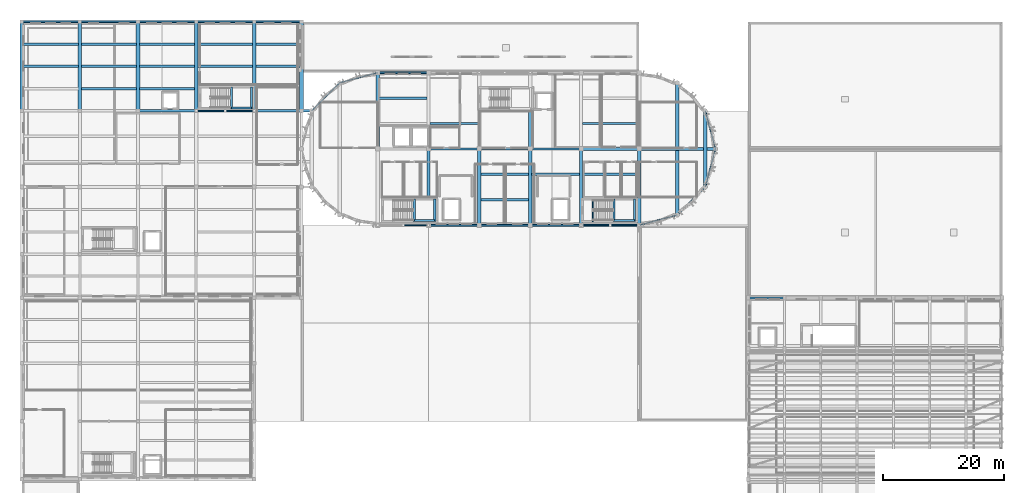
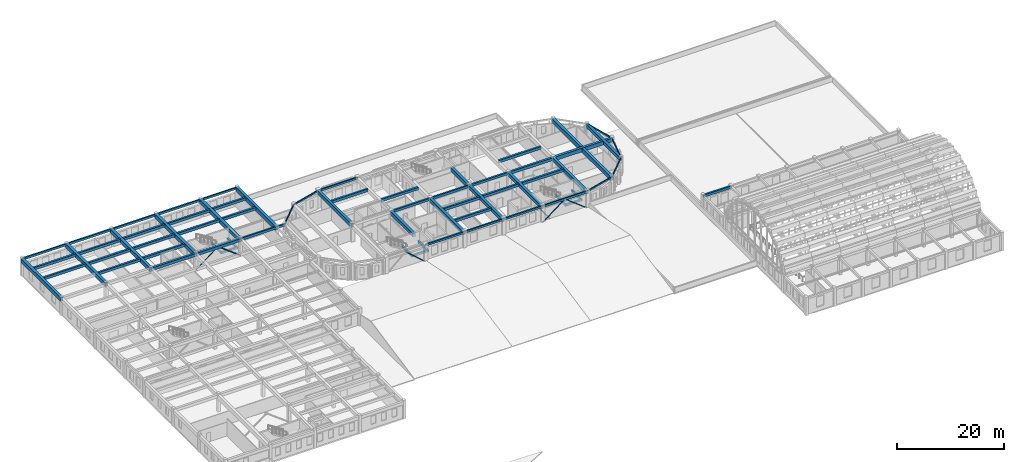
# One storey, part 5 of 46: 69 beams, 6 members.
"""IFC4 building model written with IfcOpenShell, lengths in metres."""

from ifc_helpers import new_model, si_unit, direction, frame, origin, origin_2d, place, context, subcontext, project, spatial, rectangle, hollow_rectangle, hollow_circle, extrude, material, material_profile, profile_set, type_object, element, save


model = new_model("IFC4")

# Units and contexts
model_context = context("Model", 3, precision=1e-05, world=origin(), true_north=direction((0.0, 1.0)))
body_context = subcontext(model_context, "Body", "Model", "MODEL_VIEW")
ifc_project = project(units=[si_unit("LENGTHUNIT", "METRE"), si_unit("AREAUNIT", "SQUARE_METRE"), si_unit("VOLUMEUNIT", "CUBIC_METRE"), si_unit("PLANEANGLEUNIT", "RADIAN"), si_unit("MASSUNIT", "GRAM", prefix="KILO")], contexts=[model_context])

# Site, building, storey
site_placement = place(None, origin())
site = spatial("IfcSite", under=ifc_project, at=site_placement, CompositionType="ELEMENT")
building_placement = place(site_placement, origin())
building = spatial("IfcBuilding", under=site, at=building_placement, Name="Tarnavel Promenade Courthouse", CompositionType="ELEMENT")
storey_placement = place(building_placement, frame((0.0, 0.0, 14.39990234375)))
storey = spatial("IfcBuildingStorey", under=building, at=storey_placement, Name="L04", CompositionType="ELEMENT", Elevation=14.39990234375)

# Beams
ifc_material_1 = material(Name="Concrete C40/50", Category="concrete")
ifc_material_profile_1 = material_profile(ifc_material_1, rectangle(XDim=0.39990234375, YDim=0.60009765625, at=origin_2d()), Name="PT 400x600")
ifc_profile_set_1 = profile_set([ifc_material_profile_1], Name="Concrete C40/50")
beam_type_1 = type_object("IfcBeamType", Name="Concrete C40/50 BM-PT-400x600 (PT 400x600)", PredefinedType="JOIST", material=ifc_profile_set_1)
for number, where, z_axis, x_axis, name in (
    (1, (0.27001953125, 105.449951171875, 3.655029296875), (1.0, 0.0, 0.0), (0.0, 1.0, 0.0), "L04 Secondary Floor Rib 2173"),
    (2, (0.27001953125, 109.125, 3.655029296875), (1.0, 0.0, 0.0), (0.0, 1.0, 0.0), "L04 Secondary Floor Rib 2174"),
):
    element("IfcBeam", number, at=place(storey_placement, frame(where, z_axis=z_axis, x_axis=x_axis)), inside=storey, type_object=beam_type_1, Name=name, PredefinedType="JOIST", context=body_context, shape_type="SweptSolid", body=[
        extrude(rectangle(XDim=0.39990234375, YDim=0.60009765625, at=origin_2d()), origin(), (0.0, 0.0, 1.0), 9.06005859375),
    ])
for number, where, z_axis, x_axis, name in (
    (3, (9.8701171875, 101.77490234375, 3.655029296875), (1.0, 0.0, 0.0), (0.0, 1.0, 0.0), "L04 Secondary Floor Rib 2175"),
    (4, (9.8701171875, 105.449951171875, 3.655029296875), (1.0, 0.0, 0.0), (0.0, 1.0, 0.0), "L04 Secondary Floor Rib 2176"),
    (5, (9.8701171875, 109.125, 3.655029296875), (1.0, 0.0, 0.0), (0.0, 1.0, 0.0), "L04 Secondary Floor Rib 2177"),
):
    element("IfcBeam", number, at=place(storey_placement, frame(where, z_axis=z_axis, x_axis=x_axis)), inside=storey, type_object=beam_type_1, Name=name, PredefinedType="JOIST", context=body_context, shape_type="SweptSolid", body=[
        extrude(rectangle(XDim=0.39990234375, YDim=0.60009765625, at=origin_2d()), origin(), (0.0, 0.0, 1.0), 9.059814453125),
    ])
for number, where, z_axis, x_axis, name in (
    (6, (19.469970703125, 101.77490234375, 3.655029296875), (1.0, 0.0, 0.0), (0.0, 1.0, 0.0), "L04 Secondary Floor Rib 2178"),
    (7, (19.469970703125, 105.449951171875, 3.655029296875), (1.0, 0.0, 0.0), (0.0, 1.0, 0.0), "L04 Secondary Floor Rib 2179"),
    (8, (19.469970703125, 109.125, 3.655029296875), (1.0, 0.0, 0.0), (0.0, 1.0, 0.0), "L04 Secondary Floor Rib 2180"),
):
    element("IfcBeam", number, at=place(storey_placement, frame(where, z_axis=z_axis, x_axis=x_axis)), inside=storey, type_object=beam_type_1, Name=name, PredefinedType="JOIST", context=body_context, shape_type="SweptSolid", body=[
        extrude(rectangle(XDim=0.39990234375, YDim=0.60009765625, at=origin_2d()), origin(), (0.0, 0.0, 1.0), 9.06005859375),
    ])
for number, where, z_axis, x_axis, name in (
    (9, (29.070068359375, 105.449951171875, 3.655029296875), (1.0, 0.0, 0.0), (0.0, 1.0, 0.0), "L04 Secondary Floor Rib 2181"),
    (10, (29.070068359375, 109.125, 3.655029296875), (1.0, 0.0, 0.0), (0.0, 1.0, 0.0), "L04 Secondary Floor Rib 2182"),
):
    element("IfcBeam", number, at=place(storey_placement, frame(where, z_axis=z_axis, x_axis=x_axis)), inside=storey, type_object=beam_type_1, Name=name, PredefinedType="JOIST", context=body_context, shape_type="SweptSolid", body=[
        extrude(rectangle(XDim=0.39990234375, YDim=0.60009765625, at=origin_2d()), origin(), (0.0, 0.0, 1.0), 9.059814453125),
    ])
for number, where, z_axis, x_axis, name in (
    (11, (38.669921875, 105.449951171875, 3.655029296875), (1.0, 0.0, 0.0), (0.0, 1.0, 0.0), "L04 Secondary Floor Rib 2183"),
    (12, (38.669921875, 109.125, 3.655029296875), (1.0, 0.0, 0.0), (0.0, 1.0, 0.0), "L04 Secondary Floor Rib 2184"),
):
    element("IfcBeam", number, at=place(storey_placement, frame(where, z_axis=z_axis, x_axis=x_axis)), inside=storey, type_object=beam_type_1, Name=name, PredefinedType="JOIST", context=body_context, shape_type="SweptSolid", body=[
        extrude(rectangle(XDim=0.39990234375, YDim=0.60009765625, at=origin_2d()), origin(), (0.0, 0.0, 1.0), 7.260009765625),
    ])
for number, where, z_axis, x_axis, name in (
    (13, (75.844970703125, 83.39990234375, 3.655029296875), (1.0, 0.0, 0.0), (0.0, 1.0, 0.0), "L04 Secondary Floor Rib 2185"),
    (14, (75.844970703125, 87.60009765625, 3.655029296875), (1.0, 0.0, 0.0), (0.0, 1.0, 0.0), "L04 Secondary Floor Rib 2186"),
    (15, (84.2451171875, 87.60009765625, 3.655029296875), (1.0, 0.0, 0.0), (0.0, 1.0, 0.0), "L04 Secondary Floor Rib 2187"),
):
    element("IfcBeam", number, at=place(storey_placement, frame(where, z_axis=z_axis, x_axis=x_axis)), inside=storey, type_object=beam_type_1, Name=name, PredefinedType="JOIST", context=body_context, shape_type="SweptSolid", body=[
        extrude(rectangle(XDim=0.39990234375, YDim=0.60009765625, at=origin_2d()), origin(), (0.0, 0.0, 1.0), 7.909912109375),
    ])
beam_1_placement = place(storey_placement, frame((92.64501953125, 87.60009765625, 3.655029296875), z_axis=(1.0, 0.0, 0.0), x_axis=(0.0, 1.0, 0.0)))
element("IfcBeam", 16, at=beam_1_placement, inside=storey, type_object=beam_type_1, Name="L04 Secondary Floor Rib 2188", PredefinedType="JOIST", context=body_context, shape_type="SweptSolid", body=[
    extrude(rectangle(XDim=0.39990234375, YDim=0.60009765625, at=origin_2d()), origin(), (0.0, 0.0, 1.0), 9.10986328125),
])
beam_2_placement = place(storey_placement, frame((59.044921875, 100.199951171875, 3.655029296875), z_axis=(1.0, 0.0, 0.0), x_axis=(0.0, 1.0, 0.0)))
element("IfcBeam", 17, at=beam_2_placement, inside=storey, type_object=beam_type_1, Name="L04 Secondary Floor Rib 2190", PredefinedType="JOIST", context=body_context, shape_type="SweptSolid", body=[
    extrude(rectangle(XDim=0.39990234375, YDim=0.60009765625, at=origin_2d()), origin(), (0.0, 0.0, 1.0), 7.91015625),
])
beam_3_placement = place(storey_placement, frame((67.445068359375, 96.0, 3.655029296875), z_axis=(1.0, 0.0, 0.0), x_axis=(0.0, 1.0, 0.0)))
element("IfcBeam", 18, at=beam_3_placement, inside=storey, type_object=beam_type_1, Name="L04 Secondary Floor Rib 2191", PredefinedType="JOIST", context=body_context, shape_type="SweptSolid", body=[
    extrude(rectangle(XDim=0.39990234375, YDim=0.60009765625, at=origin_2d()), origin(), (0.0, 0.0, 1.0), 7.909912109375),
])
beam_4_placement = place(storey_placement, frame((92.64501953125, 96.0, 3.655029296875), z_axis=(1.0, 0.0, 0.0), x_axis=(0.0, 1.0, 0.0)))
element("IfcBeam", 19, at=beam_4_placement, inside=storey, type_object=beam_type_1, Name="L04 Secondary Floor Rib 2192", PredefinedType="JOIST", context=body_context, shape_type="SweptSolid", body=[
    extrude(rectangle(XDim=0.39990234375, YDim=0.60009765625, at=origin_2d()), origin(), (0.0, 0.0, 1.0), 9.10986328125),
])
ifc_material_profile_2 = material_profile(ifc_material_1, rectangle(XDim=0.550048828125, YDim=0.85009765625, at=origin_2d()), Name="PT 550x850")
ifc_profile_set_2 = profile_set([ifc_material_profile_2], Name="Concrete C40/50")
beam_type_2 = type_object("IfcBeamType", Name="Concrete C40/50 BM-PT-550x850 (PT 550x850)", PredefinedType="T_BEAM", material=ifc_profile_set_2)
beam_5_placement = place(storey_placement, frame((102.0, 91.800048828125, 3.530029296875), z_axis=(1.0, 0.0, 0.0), x_axis=(0.0, 1.0, 0.0)))
element("IfcBeam", 20, at=beam_5_placement, inside=storey, type_object=beam_type_2, Name="L04 Primary Longitudinal Beam 2044", PredefinedType="T_BEAM", context=body_context, shape_type="SweptSolid", body=[
    extrude(rectangle(XDim=0.550048828125, YDim=0.85009765625, at=origin_2d()), origin(), (0.0, 0.0, 1.0), 12.60009765625),
])
beam_6_placement = place(storey_placement, frame((58.800048828125, 91.800048828125, 3.530029296875), z_axis=(0.0, 1.0, 0.0), x_axis=(-1.0, 0.0, 0.0)))
element("IfcBeam", 21, at=beam_6_placement, inside=storey, type_object=beam_type_2, Name="L04 Transverse Girder 2103", PredefinedType="T_BEAM", context=body_context, shape_type="SweptSolid", body=[
    extrude(rectangle(XDim=0.550048828125, YDim=0.85009765625, at=origin_2d()), origin(), (0.0, 0.0, 1.0), 12.599853515625),
])
beam_7_placement = place(storey_placement, frame((67.199951171875, 83.3701171875, 3.530029296875), z_axis=(0.0, 1.0, 0.0), x_axis=(-1.0, 0.0, 0.0)))
element("IfcBeam", 22, at=beam_7_placement, inside=storey, type_object=beam_type_2, Name="L04 Transverse Girder 2104", PredefinedType="T_BEAM", context=body_context, shape_type="SweptSolid", body=[
    extrude(rectangle(XDim=0.550048828125, YDim=0.85009765625, at=origin_2d()), origin(), (0.0, 0.0, 1.0), 8.429931640625),
])
for number, where, z_axis, x_axis, name in (
    (23, (75.60009765625, 79.199951171875, 3.530029296875), (0.0, 1.0, 0.0), (-1.0, 0.0, 0.0), "L04 Transverse Girder 2106"),
    (24, (84.0, 79.199951171875, 3.530029296875), (0.0, 1.0, 0.0), (-1.0, 0.0, 0.0), "L04 Transverse Girder 2108"),
):
    element("IfcBeam", number, at=place(storey_placement, frame(where, z_axis=z_axis, x_axis=x_axis)), inside=storey, type_object=beam_type_2, Name=name, PredefinedType="T_BEAM", context=body_context, shape_type="SweptSolid", body=[
        extrude(rectangle(XDim=0.550048828125, YDim=0.85009765625, at=origin_2d()), origin(), (0.0, 0.0, 1.0), 12.60009765625),
    ])
beam_8_placement = place(storey_placement, frame((84.0, 91.800048828125, 3.530029296875), z_axis=(0.0, 1.0, 0.0), x_axis=(-1.0, 0.0, 0.0)))
element("IfcBeam", 25, at=beam_8_placement, inside=storey, type_object=beam_type_2, Name="L04 Transverse Girder 2109", PredefinedType="T_BEAM", context=body_context, shape_type="SweptSolid", body=[
    extrude(rectangle(XDim=0.550048828125, YDim=0.85009765625, at=origin_2d()), origin(), (0.0, 0.0, 1.0), 6.64990234375),
])
for number, where, z_axis, x_axis, name in (
    (26, (92.39990234375, 79.199951171875, 3.530029296875), (0.0, 1.0, 0.0), (-1.0, 0.0, 0.0), "L04 Transverse Girder 2111"),
    (27, (102.0, 79.199951171875, 3.530029296875), (0.0, 1.0, 0.0), (-1.0, 0.0, 0.0), "L04 Transverse Girder 2113"),
    (28, (112.911865234375, 85.5, 3.530029296875), (0.0, 1.0, 0.0), (-1.0, 0.0, 0.0), "L04 Transverse Girder 2116"),
):
    element("IfcBeam", number, at=place(storey_placement, frame(where, z_axis=z_axis, x_axis=x_axis)), inside=storey, type_object=beam_type_2, Name=name, PredefinedType="T_BEAM", context=body_context, shape_type="SweptSolid", body=[
        extrude(rectangle(XDim=0.550048828125, YDim=0.85009765625, at=origin_2d()), origin(), (0.0, 0.0, 1.0), 12.60009765625),
    ])
ifc_material_profile_3 = material_profile(ifc_material_1, rectangle(XDim=0.60009765625, YDim=0.89990234375, at=origin_2d()), Name="PT 600x900")
ifc_profile_set_3 = profile_set([ifc_material_profile_3], Name="Concrete C40/50")
beam_type_3 = type_object("IfcBeamType", Name="Concrete C40/50 BM-PT-600x900 (PT 600x900)", PredefinedType="T_BEAM", material=ifc_profile_set_3)
for number, where, z_axis, x_axis, name in (
    (29, (0.0, 98.10009765625, 3.505126953125), (0.0, 1.0, 0.0), (-1.0, 0.0, 0.0), "L04 Transverse Girder 2067"),
    (30, (9.60009765625, 98.10009765625, 3.505126953125), (0.0, 1.0, 0.0), (-1.0, 0.0, 0.0), "L04 Transverse Girder 2073"),
    (31, (19.199951171875, 98.10009765625, 3.505126953125), (0.0, 1.0, 0.0), (-1.0, 0.0, 0.0), "L04 Transverse Girder 2080"),
    (32, (28.800048828125, 98.10009765625, 3.505126953125), (0.0, 1.0, 0.0), (-1.0, 0.0, 0.0), "L04 Transverse Girder 2087"),
    (33, (38.39990234375, 98.10009765625, 3.505126953125), (0.0, 1.0, 0.0), (-1.0, 0.0, 0.0), "L04 Transverse Girder 2094"),
    (34, (46.199951171875, 98.10009765625, 3.505126953125), (0.0, 1.0, 0.0), (-1.0, 0.0, 0.0), "L04 Transverse Girder 2099"),
):
    element("IfcBeam", number, at=place(storey_placement, frame(where, z_axis=z_axis, x_axis=x_axis)), inside=storey, type_object=beam_type_3, Name=name, PredefinedType="T_BEAM", context=body_context, shape_type="SweptSolid", body=[
        extrude(rectangle(XDim=0.60009765625, YDim=0.89990234375, at=origin_2d()), origin(), (0.0, 0.0, 1.0), 14.699951171875),
    ])
ifc_material_profile_4 = material_profile(ifc_material_1, rectangle(XDim=0.60009765625, YDim=0.949951171875, at=origin_2d()), Name="PT 600x950")
ifc_profile_set_4 = profile_set([ifc_material_profile_4], Name="Concrete C40/50")
beam_type_4 = type_object("IfcBeamType", Name="Concrete C40/50 BM-PT-600x950 (PT 600x950)", PredefinedType="T_BEAM", material=ifc_profile_set_4)
beam_9_placement = place(storey_placement, frame((108.300048828125, 80.88818359375, 3.47998046875), z_axis=(0.0, 1.0, 0.0), x_axis=(-1.0, 0.0, 0.0)))
element("IfcBeam", 35, at=beam_9_placement, inside=storey, type_object=beam_type_4, Name="L04 Transverse Girder 2115", PredefinedType="T_BEAM", context=body_context, shape_type="SweptSolid", body=[
    extrude(rectangle(XDim=0.60009765625, YDim=0.949951171875, at=origin_2d()), origin(), (0.0, 0.0, 1.0), 21.82373046875),
])
ifc_material_profile_5 = material_profile(ifc_material_1, rectangle(XDim=0.35009765625, YDim=0.449951171875, at=origin_2d()), Name="RC 350x450")
ifc_profile_set_5 = profile_set([ifc_material_profile_5], Name="Concrete C40/50")
beam_type_5 = type_object("IfcBeamType", Name="Concrete C40/50 BM-RC-350x450 (RC 350x450)", PredefinedType="BEAM", material=ifc_profile_set_5)
for number, where, z_axis, x_axis, name in (
    (36, (64.840087890625, 79.800048828125, 1.670166015625), (0.0, 1.0, 0.0), (-1.0, 0.0, 0.0), "L04 ST-01 Mid-Landing Support Beam Near"),
    (37, (68.219970703125, 79.800048828125, 1.670166015625), (0.0, 1.0, 0.0), (-1.0, 0.0, 0.0), "L04 ST-01 Mid-Landing Support Beam Far"),
):
    element("IfcBeam", number, at=place(storey_placement, frame(where, z_axis=z_axis, x_axis=x_axis)), inside=storey, type_object=beam_type_5, Name=name, PredefinedType="BEAM", context=body_context, shape_type="SweptSolid", body=[
        extrude(rectangle(XDim=0.35009765625, YDim=0.449951171875, at=origin_2d()), origin(), (0.0, 0.0, 1.0), 3.719970703125),
    ])
beam_10_placement = place(storey_placement, frame((64.840087890625, 79.949951171875, 1.670166015625), z_axis=(1.0, 0.0, 0.0), x_axis=(0.0, 1.0, 0.0)))
element("IfcBeam", 38, at=beam_10_placement, inside=storey, type_object=beam_type_5, Name="L04 ST-01 Mid-Landing Edge Trimmer", PredefinedType="BEAM", context=body_context, shape_type="SweptSolid", body=[
    extrude(rectangle(XDim=0.35009765625, YDim=0.449951171875, at=origin_2d()), origin(), (0.0, 0.0, 1.0), 3.3798828125),
])
for number, where, z_axis, x_axis, name in (
    (39, (97.840087890625, 79.800048828125, 1.670166015625), (0.0, 1.0, 0.0), (-1.0, 0.0, 0.0), "L04 ST-02 Mid-Landing Support Beam Near"),
    (40, (101.219970703125, 79.800048828125, 1.670166015625), (0.0, 1.0, 0.0), (-1.0, 0.0, 0.0), "L04 ST-02 Mid-Landing Support Beam Far"),
):
    element("IfcBeam", number, at=place(storey_placement, frame(where, z_axis=z_axis, x_axis=x_axis)), inside=storey, type_object=beam_type_5, Name=name, PredefinedType="BEAM", context=body_context, shape_type="SweptSolid", body=[
        extrude(rectangle(XDim=0.35009765625, YDim=0.449951171875, at=origin_2d()), origin(), (0.0, 0.0, 1.0), 3.719970703125),
    ])
beam_11_placement = place(storey_placement, frame((97.840087890625, 79.949951171875, 1.670166015625), z_axis=(1.0, 0.0, 0.0), x_axis=(0.0, 1.0, 0.0)))
element("IfcBeam", 41, at=beam_11_placement, inside=storey, type_object=beam_type_5, Name="L04 ST-02 Mid-Landing Edge Trimmer", PredefinedType="BEAM", context=body_context, shape_type="SweptSolid", body=[
    extrude(rectangle(XDim=0.35009765625, YDim=0.449951171875, at=origin_2d()), origin(), (0.0, 0.0, 1.0), 3.3798828125),
])
for number, where, z_axis, x_axis, name in (
    (42, (34.6201171875, 98.419921875, 1.670166015625), (0.0, 1.0, 0.0), (-1.0, 0.0, 0.0), "L04 ST-07 Mid-Landing Support Beam Near"),
    (43, (37.919921875, 98.419921875, 1.670166015625), (0.0, 1.0, 0.0), (-1.0, 0.0, 0.0), "L04 ST-07 Mid-Landing Support Beam Far"),
):
    element("IfcBeam", number, at=place(storey_placement, frame(where, z_axis=z_axis, x_axis=x_axis)), inside=storey, type_object=beam_type_5, Name=name, PredefinedType="BEAM", context=body_context, shape_type="SweptSolid", body=[
        extrude(rectangle(XDim=0.35009765625, YDim=0.449951171875, at=origin_2d()), origin(), (0.0, 0.0, 1.0), 3.64013671875),
    ])
beam_12_placement = place(storey_placement, frame((34.6201171875, 98.570068359375, 1.670166015625), z_axis=(1.0, 0.0, 0.0), x_axis=(0.0, 1.0, 0.0)))
element("IfcBeam", 44, at=beam_12_placement, inside=storey, type_object=beam_type_5, Name="L04 ST-07 Mid-Landing Edge Trimmer", PredefinedType="BEAM", context=body_context, shape_type="SweptSolid", body=[
    extrude(rectangle(XDim=0.35009765625, YDim=0.449951171875, at=origin_2d()), origin(), (0.0, 0.0, 1.0), 3.2998046875),
])
ifc_material_profile_6 = material_profile(ifc_material_1, rectangle(XDim=0.35009765625, YDim=0.550048828125, at=origin_2d()), Name="RC 350x550")
ifc_profile_set_6 = profile_set([ifc_material_profile_6], Name="Concrete C40/50")
beam_type_6 = type_object("IfcBeamType", Name="Concrete C40/50 BM-RC-350x550 (RC 350x550)", PredefinedType="BEAM", material=ifc_profile_set_6)
beam_13_placement = place(storey_placement, frame((120.0, 67.199951171875, 3.68017578125), z_axis=(1.0, 0.0, 0.0), x_axis=(0.0, 1.0, 0.0)))
element("IfcBeam", 45, at=beam_13_placement, inside=storey, type_object=beam_type_6, Name="L04 Primary Longitudinal Beam 2016", PredefinedType="BEAM", context=body_context, shape_type="SweptSolid", body=[
    extrude(rectangle(XDim=0.35009765625, YDim=0.550048828125, at=origin_2d()), origin(), (0.0, 0.0, 1.0), 6.0),
])
beam_14_placement = place(storey_placement, frame((67.199951171875, 91.800048828125, 3.68017578125), z_axis=(1.0, 0.0, 0.0), x_axis=(0.0, 1.0, 0.0)))
element("IfcBeam", 46, at=beam_14_placement, inside=storey, type_object=beam_type_6, Name="L04 Primary Longitudinal Beam 2040", PredefinedType="BEAM", context=body_context, shape_type="SweptSolid", body=[
    extrude(rectangle(XDim=0.35009765625, YDim=0.550048828125, at=origin_2d()), origin(), (0.0, 0.0, 1.0), 8.400146484375),
])
for number, where, z_axis, x_axis, name in (
    (47, (75.60009765625, 91.800048828125, 3.68017578125), (1.0, 0.0, 0.0), (0.0, 1.0, 0.0), "L04 Primary Longitudinal Beam 2041"),
    (48, (84.0, 91.800048828125, 3.68017578125), (1.0, 0.0, 0.0), (0.0, 1.0, 0.0), "L04 Primary Longitudinal Beam 2042"),
):
    element("IfcBeam", number, at=place(storey_placement, frame(where, z_axis=z_axis, x_axis=x_axis)), inside=storey, type_object=beam_type_6, Name=name, PredefinedType="BEAM", context=body_context, shape_type="SweptSolid", body=[
        extrude(rectangle(XDim=0.35009765625, YDim=0.550048828125, at=origin_2d()), origin(), (0.0, 0.0, 1.0), 8.39990234375),
    ])
beam_15_placement = place(storey_placement, frame((38.39990234375, 98.10009765625, 3.68017578125), z_axis=(1.0, 0.0, 0.0), x_axis=(0.0, 1.0, 0.0)))
element("IfcBeam", 49, at=beam_15_placement, inside=storey, type_object=beam_type_6, Name="L04 Primary Longitudinal Beam 2049", PredefinedType="BEAM", context=body_context, shape_type="SweptSolid", body=[
    extrude(rectangle(XDim=0.35009765625, YDim=0.550048828125, at=origin_2d()), origin(), (0.0, 0.0, 1.0), 7.800048828125),
])
beam_16_placement = place(storey_placement, frame((46.199951171875, 98.10009765625, 3.68017578125), z_axis=(1.0, 0.0, 0.0), x_axis=(0.0, 1.0, 0.0)))
element("IfcBeam", 50, at=beam_16_placement, inside=storey, type_object=beam_type_6, Name="L04 Primary Longitudinal Beam 2050", PredefinedType="BEAM", context=body_context, shape_type="SweptSolid", body=[
    extrude(rectangle(XDim=0.35009765625, YDim=0.550048828125, at=origin_2d()), origin(), (0.0, 0.0, 1.0), 1.688232421875),
])
ifc_material_profile_7 = material_profile(ifc_material_1, rectangle(XDim=0.449951171875, YDim=0.64990234375, at=origin_2d()), Name="RC 450x650")
ifc_profile_set_7 = profile_set([ifc_material_profile_7], Name="Concrete C40/50")
beam_type_7 = type_object("IfcBeamType", Name="Concrete C40/50 BM-RC-450x650 (RC 450x650)", PredefinedType="T_BEAM", material=ifc_profile_set_7)
for number, where, z_axis, x_axis, name in (
    (51, (92.39990234375, 91.800048828125, 3.630126953125), (1.0, 0.0, 0.0), (0.0, 1.0, 0.0), "L04 Primary Longitudinal Beam 2043"),
    (52, (19.199951171875, 98.10009765625, 3.630126953125), (1.0, 0.0, 0.0), (0.0, 1.0, 0.0), "L04 Primary Longitudinal Beam 2047"),
):
    element("IfcBeam", number, at=place(storey_placement, frame(where, z_axis=z_axis, x_axis=x_axis)), inside=storey, type_object=beam_type_7, Name=name, PredefinedType="T_BEAM", context=body_context, shape_type="SweptSolid", body=[
        extrude(rectangle(XDim=0.449951171875, YDim=0.64990234375, at=origin_2d()), origin(), (0.0, 0.0, 1.0), 9.60009765625),
    ])
beam_17_placement = place(storey_placement, frame((28.800048828125, 98.10009765625, 3.630126953125), z_axis=(1.0, 0.0, 0.0), x_axis=(0.0, 1.0, 0.0)))
element("IfcBeam", 53, at=beam_17_placement, inside=storey, type_object=beam_type_7, Name="L04 Primary Longitudinal Beam 2048", PredefinedType="T_BEAM", context=body_context, shape_type="SweptSolid", body=[
    extrude(rectangle(XDim=0.449951171875, YDim=0.64990234375, at=origin_2d()), origin(), (0.0, 0.0, 1.0), 9.599853515625),
])
ifc_material_profile_8 = material_profile(ifc_material_1, rectangle(XDim=0.300048828125, YDim=0.449951171875, at=origin_2d()), Name="RC 300x450")
ifc_profile_set_8 = profile_set([ifc_material_profile_8], Name="Concrete C40/50")
beam_type_8 = type_object("IfcBeamType", Name="Concrete C40/50 BM-SP-300x450 (RC 300x450)", PredefinedType="SPANDREL", material=ifc_profile_set_8)
beam_18_placement = place(storey_placement, frame((67.199951171875, 79.199951171875, 3.72998046875), z_axis=(1.0, 0.0, 0.0), x_axis=(0.0, 1.0, 0.0)))
element("IfcBeam", 54, at=beam_18_placement, inside=storey, type_object=beam_type_8, Name="L04 Primary Longitudinal Beam 2029", PredefinedType="SPANDREL", context=body_context, shape_type="SweptSolid", body=[
    extrude(rectangle(XDim=0.300048828125, YDim=0.449951171875, at=origin_2d()), origin(), (0.0, 0.0, 1.0), 8.400146484375),
])
for number, where, z_axis, x_axis, name in (
    (55, (75.60009765625, 79.199951171875, 3.72998046875), (1.0, 0.0, 0.0), (0.0, 1.0, 0.0), "L04 Primary Longitudinal Beam 2030"),
    (56, (84.0, 79.199951171875, 3.72998046875), (1.0, 0.0, 0.0), (0.0, 1.0, 0.0), "L04 Primary Longitudinal Beam 2031"),
    (57, (58.800048828125, 104.39990234375, 3.72998046875), (1.0, 0.0, 0.0), (0.0, 1.0, 0.0), "L04 Primary Longitudinal Beam 2051"),
):
    element("IfcBeam", number, at=place(storey_placement, frame(where, z_axis=z_axis, x_axis=x_axis)), inside=storey, type_object=beam_type_8, Name=name, PredefinedType="SPANDREL", context=body_context, shape_type="SweptSolid", body=[
        extrude(rectangle(XDim=0.300048828125, YDim=0.449951171875, at=origin_2d()), origin(), (0.0, 0.0, 1.0), 8.39990234375),
    ])
beam_19_placement = place(storey_placement, frame((38.39990234375, 112.800048828125, 3.72998046875), z_axis=(1.0, 0.0, 0.0), x_axis=(0.0, 1.0, 0.0)))
element("IfcBeam", 58, at=beam_19_placement, inside=storey, type_object=beam_type_8, Name="L04 Primary Longitudinal Beam 2060", PredefinedType="SPANDREL", context=body_context, shape_type="SweptSolid", body=[
    extrude(rectangle(XDim=0.300048828125, YDim=0.449951171875, at=origin_2d()), origin(), (0.0, 0.0, 1.0), 7.800048828125),
])
ifc_material_profile_9 = material_profile(ifc_material_1, rectangle(XDim=0.300048828125, YDim=0.5, at=origin_2d()), Name="RC 300x500")
ifc_profile_set_9 = profile_set([ifc_material_profile_9], Name="Concrete C40/50")
beam_type_9 = type_object("IfcBeamType", Name="Concrete C40/50 BM-SP-300x500 (RC 300x500)", PredefinedType="SPANDREL", material=ifc_profile_set_9)
for number, where, z_axis, x_axis, name in (
    (59, (92.39990234375, 79.199951171875, 3.705078125), (1.0, 0.0, 0.0), (0.0, 1.0, 0.0), "L04 Primary Longitudinal Beam 2032"),
    (60, (0.0, 112.800048828125, 3.705078125), (1.0, 0.0, 0.0), (0.0, 1.0, 0.0), "L04 Primary Longitudinal Beam 2056"),
):
    element("IfcBeam", number, at=place(storey_placement, frame(where, z_axis=z_axis, x_axis=x_axis)), inside=storey, type_object=beam_type_9, Name=name, PredefinedType="SPANDREL", context=body_context, shape_type="SweptSolid", body=[
        extrude(rectangle(XDim=0.300048828125, YDim=0.5, at=origin_2d()), origin(), (0.0, 0.0, 1.0), 9.60009765625),
    ])
beam_20_placement = place(storey_placement, frame((9.60009765625, 112.800048828125, 3.705078125), z_axis=(1.0, 0.0, 0.0), x_axis=(0.0, 1.0, 0.0)))
element("IfcBeam", 61, at=beam_20_placement, inside=storey, type_object=beam_type_9, Name="L04 Primary Longitudinal Beam 2057", PredefinedType="SPANDREL", context=body_context, shape_type="SweptSolid", body=[
    extrude(rectangle(XDim=0.300048828125, YDim=0.5, at=origin_2d()), origin(), (0.0, 0.0, 1.0), 9.599853515625),
])
beam_21_placement = place(storey_placement, frame((19.199951171875, 112.800048828125, 3.705078125), z_axis=(1.0, 0.0, 0.0), x_axis=(0.0, 1.0, 0.0)))
element("IfcBeam", 62, at=beam_21_placement, inside=storey, type_object=beam_type_9, Name="L04 Primary Longitudinal Beam 2058", PredefinedType="SPANDREL", context=body_context, shape_type="SweptSolid", body=[
    extrude(rectangle(XDim=0.300048828125, YDim=0.5, at=origin_2d()), origin(), (0.0, 0.0, 1.0), 9.60009765625),
])
beam_22_placement = place(storey_placement, frame((28.800048828125, 112.800048828125, 3.705078125), z_axis=(1.0, 0.0, 0.0), x_axis=(0.0, 1.0, 0.0)))
element("IfcBeam", 63, at=beam_22_placement, inside=storey, type_object=beam_type_9, Name="L04 Primary Longitudinal Beam 2059", PredefinedType="SPANDREL", context=body_context, shape_type="SweptSolid", body=[
    extrude(rectangle(XDim=0.300048828125, YDim=0.5, at=origin_2d()), origin(), (0.0, 0.0, 1.0), 9.599853515625),
])
ifc_material_2 = material(Name="Steel S355J2", Category="steel")
ifc_material_profile_10 = material_profile(ifc_material_2, hollow_rectangle(XDim=0.199951171875, YDim=0.35009765625, WallThickness=0.012451171875, InnerFilletRadius=0.012451171875, OuterFilletRadius=0.02490234375, at=origin_2d()), Name="RHS 350x200x12.5")
ifc_profile_set_10 = profile_set([ifc_material_profile_10], Name="Steel S355J2")
beam_type_10 = type_object("IfcBeamType", Name="Steel S355J2 BM-ST-RHS350 (RHS 350x200x12.5)", PredefinedType="SPANDREL", material=ifc_profile_set_10)
beam_23_placement = place(storey_placement, frame((58.800048828125, 104.39990234375, 3.780029296875), z_axis=(-0.965929839907, -0.258804065612, 0.0), x_axis=(0.258804065612, -0.965929839907, 0.0)))
element("IfcBeam", 64, at=beam_23_placement, inside=storey, type_object=beam_type_10, Name="L04 Drum Ring Spandrel 2205", PredefinedType="SPANDREL", context=body_context, shape_type="SweptSolid", body=[
    extrude(hollow_rectangle(XDim=0.199951171875, YDim=0.35009765625, WallThickness=0.012451171875, InnerFilletRadius=0.012451171875, OuterFilletRadius=0.02490234375, at=origin_2d()), origin(), (0.0, 0.0, 1.0), 6.522216796875),
])
beam_24_placement = place(storey_placement, frame((52.5, 102.7119140625, 3.780029296875), z_axis=(-0.707106781187, -0.707106781187, 0.0), x_axis=(0.707106781187, -0.707106781187, 0.0)))
element("IfcBeam", 65, at=beam_24_placement, inside=storey, type_object=beam_type_10, Name="L04 Drum Ring Spandrel 2206", PredefinedType="SPANDREL", context=body_context, shape_type="SweptSolid", body=[
    extrude(hollow_rectangle(XDim=0.199951171875, YDim=0.35009765625, WallThickness=0.012451171875, InnerFilletRadius=0.012451171875, OuterFilletRadius=0.02490234375, at=origin_2d()), origin(), (0.0, 0.0, 1.0), 6.52197265625),
])
beam_25_placement = place(storey_placement, frame((102.0, 79.199951171875, 3.780029296875), z_axis=(0.965920481897, 0.258838989821, 0.0), x_axis=(-0.258838989821, 0.965920481897, 0.0)))
element("IfcBeam", 66, at=beam_25_placement, inside=storey, type_object=beam_type_10, Name="L04 Drum Ring Spandrel 2211", PredefinedType="SPANDREL", context=body_context, shape_type="SweptSolid", body=[
    extrude(hollow_rectangle(XDim=0.199951171875, YDim=0.35009765625, WallThickness=0.012451171875, InnerFilletRadius=0.012451171875, OuterFilletRadius=0.02490234375, at=origin_2d()), origin(), (0.0, 0.0, 1.0), 6.522216796875),
])
beam_26_placement = place(storey_placement, frame((108.300048828125, 80.88818359375, 3.780029296875), z_axis=(0.707106781187, 0.707106781187, 0.0), x_axis=(-0.707106781187, 0.707106781187, 0.0)))
element("IfcBeam", 67, at=beam_26_placement, inside=storey, type_object=beam_type_10, Name="L04 Drum Ring Spandrel 2212", PredefinedType="SPANDREL", context=body_context, shape_type="SweptSolid", body=[
    extrude(hollow_rectangle(XDim=0.199951171875, YDim=0.35009765625, WallThickness=0.012451171875, InnerFilletRadius=0.012451171875, OuterFilletRadius=0.02490234375, at=origin_2d()), origin(), (0.0, 0.0, 1.0), 6.52197265625),
])
for number, where, z_axis, x_axis, name in (
    (68, (112.911865234375, 85.5, 3.780029296875), (0.258838989821, 0.965920481897, 0.0), (-0.965920481897, 0.258838989821, 0.0), "L04 Drum Ring Spandrel 2213"),
    (69, (114.60009765625, 91.800048828125, 3.780029296875), (-0.258838989821, 0.965920481897, 0.0), (-0.965920481897, -0.258838989821, 0.0), "L04 Drum Ring Spandrel 2214"),
):
    element("IfcBeam", number, at=place(storey_placement, frame(where, z_axis=z_axis, x_axis=x_axis)), inside=storey, type_object=beam_type_10, Name=name, PredefinedType="SPANDREL", context=body_context, shape_type="SweptSolid", body=[
        extrude(hollow_rectangle(XDim=0.199951171875, YDim=0.35009765625, WallThickness=0.012451171875, InnerFilletRadius=0.012451171875, OuterFilletRadius=0.02490234375, at=origin_2d()), origin(), (0.0, 0.0, 1.0), 6.522216796875),
    ])

# Members
ifc_material_profile_11 = material_profile(ifc_material_2, hollow_circle(Radius=0.084228515625, WallThickness=0.008056640625, at=origin_2d()), Name="CHS 168.3x8")
ifc_profile_set_11 = profile_set([ifc_material_profile_11], Name="Steel S355J2")
member_type_1 = type_object("IfcMemberType", Name="Steel S355J2 MEM-BR-CHS168 (CHS 168.3x8)", PredefinedType="BRACE", material=ifc_profile_set_11)
member_1_placement = place(storey_placement, frame((28.800048828125, 98.10009765625, 0.0), z_axis=(0.791608087548, 0.0, 0.611029161112), x_axis=(0.0, 1.0, 0.0)))
element("IfcMember", 70, at=member_1_placement, inside=storey, type_object=member_type_1, Name="L04 V2 Chevron Brace A 039", PredefinedType="BRACE", context=body_context, shape_type="SweptSolid", body=[
    extrude(hollow_circle(Radius=0.084228515625, WallThickness=0.008056640625, at=origin_2d()), origin(), (0.0, 0.0, 1.0), 6.063720703125),
])
member_2_placement = place(storey_placement, frame((38.39990234375, 98.10009765625, 0.0), z_axis=(-0.791593054423, 0.0, 0.611048636517), x_axis=(0.0, -1.0, 0.0)))
element("IfcMember", 71, at=member_2_placement, inside=storey, type_object=member_type_1, Name="L04 V2 Chevron Brace B 039", PredefinedType="BRACE", context=body_context, shape_type="SweptSolid", body=[
    extrude(hollow_circle(Radius=0.084228515625, WallThickness=0.008056640625, at=origin_2d()), origin(), (0.0, 0.0, 1.0), 6.0634765625),
])
ifc_material_profile_12 = material_profile(ifc_material_2, hollow_rectangle(XDim=0.179931640625, YDim=0.179931640625, WallThickness=0.010009765625, InnerFilletRadius=0.010009765625, OuterFilletRadius=0.02001953125, at=origin_2d()), Name="SHS 180x180x10")
ifc_profile_set_12 = profile_set([ifc_material_profile_12], Name="Steel S355J2")
member_type_2 = type_object("IfcMemberType", Name="Steel S355J2 MEM-BR-SHS180 (SHS 180x180x10)", PredefinedType="BRACE", material=ifc_profile_set_12)
for number, where, z_axis, x_axis, name in (
    (72, (92.39990234375, 79.199951171875, 0.0), (0.791608087548, 0.0, 0.611029161112), (0.0, 1.0, 0.0), "L04 V5 Chevron Brace A 015"),
    (73, (102.0, 79.199951171875, 0.0), (-0.791608087548, 0.0, 0.611029161112), (0.0, -1.0, 0.0), "L04 V5 Chevron Brace B 015"),
):
    element("IfcMember", number, at=place(storey_placement, frame(where, z_axis=z_axis, x_axis=x_axis)), inside=storey, type_object=member_type_2, Name=name, PredefinedType="BRACE", context=body_context, shape_type="SweptSolid", body=[
        extrude(hollow_rectangle(XDim=0.179931640625, YDim=0.179931640625, WallThickness=0.010009765625, InnerFilletRadius=0.010009765625, OuterFilletRadius=0.02001953125, at=origin_2d()), origin(), (0.0, 0.0, 1.0), 6.063720703125),
    ])
ifc_material_profile_13 = material_profile(ifc_material_2, hollow_rectangle(XDim=0.199951171875, YDim=0.199951171875, WallThickness=0.012451171875, InnerFilletRadius=0.012451171875, OuterFilletRadius=0.02490234375, at=origin_2d()), Name="SHS 200x200x12.5")
ifc_profile_set_13 = profile_set([ifc_material_profile_13], Name="Steel S355J2")
member_type_3 = type_object("IfcMemberType", Name="Steel S355J2 MEM-BR-SHS200 (SHS 200x200x12.5)", PredefinedType="BRACE", material=ifc_profile_set_13)
member_3_placement = place(storey_placement, frame((67.199951171875, 79.199951171875, 0.0), z_axis=(-0.749905274185, 0.0, 0.661545221243), x_axis=(0.0, -1.0, 0.0)))
element("IfcMember", 74, at=member_3_placement, inside=storey, type_object=member_type_3, Name="L04 V5 Chevron Brace B 005", PredefinedType="BRACE", context=body_context, shape_type="SweptSolid", body=[
    extrude(hollow_rectangle(XDim=0.199951171875, YDim=0.199951171875, WallThickness=0.012451171875, InnerFilletRadius=0.012451171875, OuterFilletRadius=0.02490234375, at=origin_2d()), origin(), (0.0, 0.0, 1.0), 5.6005859375),
])
ifc_material_profile_14 = material_profile(ifc_material_2, hollow_rectangle(XDim=0.14990234375, YDim=0.25, WallThickness=0.010009765625, InnerFilletRadius=0.010009765625, OuterFilletRadius=0.02001953125, at=origin_2d()), Name="RHS 250x150x10")
ifc_profile_set_14 = profile_set([ifc_material_profile_14], Name="Steel S355J2")
member_type_4 = type_object("IfcMemberType", Name="Steel S355J2 Stair Stringer MEM-STR-250 (RHS 250x150x10)", PredefinedType="STRINGER", material=ifc_profile_set_14)
member_4_placement = place(storey_placement, frame((94.360107421875, 79.800048828125, -0.179931640625), z_axis=(0.0, 1.0, 0.0), x_axis=(-1.0, 0.0, 0.0)))
element("IfcMember", 75, at=member_4_placement, inside=storey, type_object=member_type_4, Name="L04 ST-02 Stair Header Stringer", PredefinedType="STRINGER", context=body_context, shape_type="SweptSolid", body=[
    extrude(hollow_rectangle(XDim=0.14990234375, YDim=0.25, WallThickness=0.010009765625, InnerFilletRadius=0.010009765625, OuterFilletRadius=0.02001953125, at=origin_2d()), origin(), (0.0, 0.0, 1.0), 3.719970703125),
])

save(model, "model.ifc")
